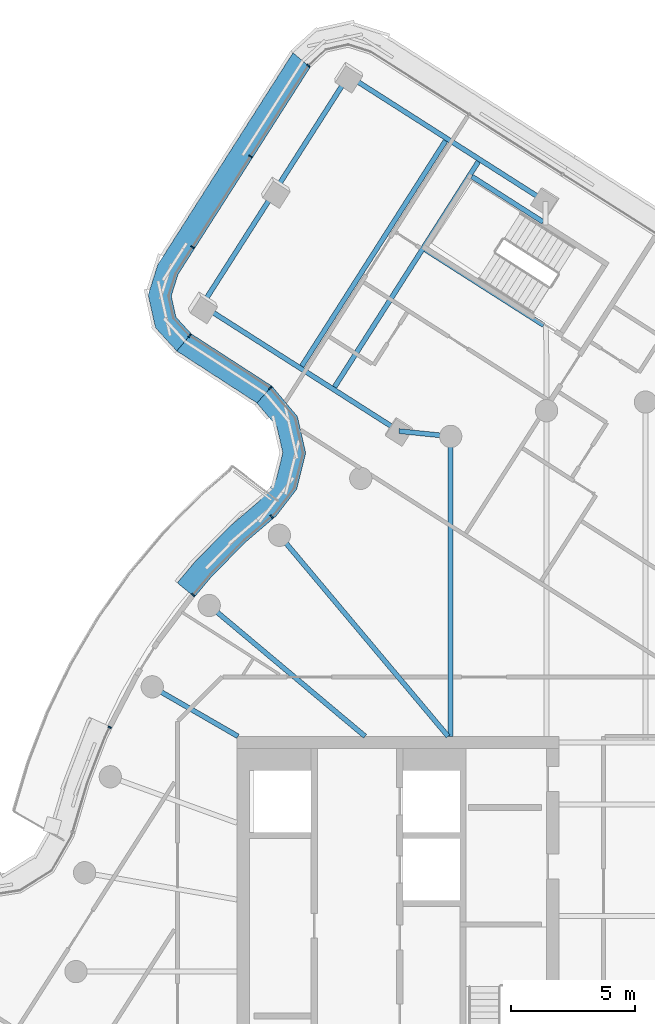
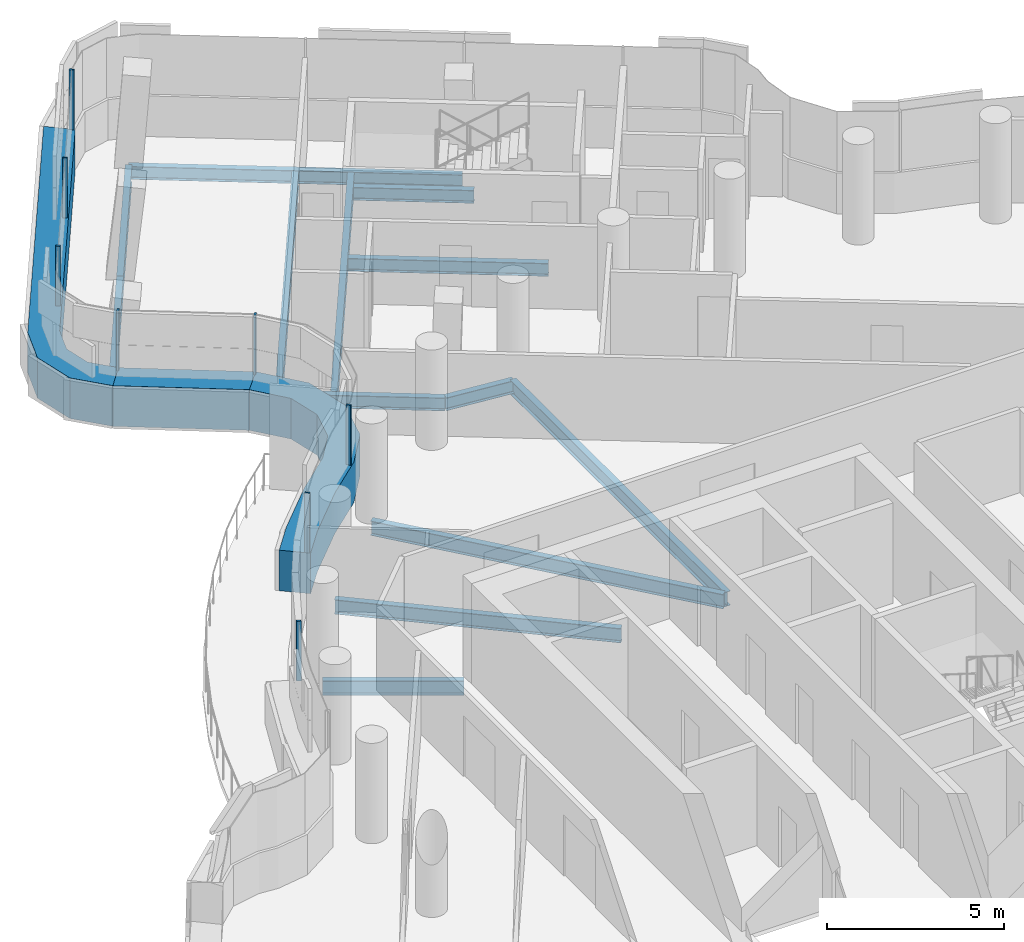
# One storey, part 9 of 27: 13 beams, 11 members, 3 elements without a shape of their own.
"""IFC4 building model written with IfcOpenShell, lengths in metres."""

from ifc_helpers import new_model, si_unit, direction, frame, origin, origin_2d, place, context, subcontext, project, spatial, polyline, rectangle, i_section, outline, extrude, material, layer, layer_set, material_profile, profile_set, type_object, element, aggregate, save


model = new_model("IFC4")

# Units and contexts
model_context = context("Model", 3, precision=1e-05, world=origin(), true_north=direction((0.0, 1.0)))
body_context = subcontext(model_context, "Body", "Model", "MODEL_VIEW")
ifc_project = project(units=[si_unit("LENGTHUNIT", "METRE"), si_unit("AREAUNIT", "SQUARE_METRE"), si_unit("VOLUMEUNIT", "CUBIC_METRE"), si_unit("PLANEANGLEUNIT", "RADIAN"), si_unit("MASSUNIT", "GRAM", prefix="KILO")], contexts=[model_context])

# Site, building, storey
site_placement = place(None, origin())
site = spatial("IfcSite", under=ifc_project, at=site_placement, CompositionType="ELEMENT")
building_placement = place(site_placement, origin())
building = spatial("IfcBuilding", under=site, at=building_placement, Name="Tamarind Cross Interchange Tower", CompositionType="ELEMENT")
storey_placement = place(building_placement, frame((0.0, 0.0, 241.5)))
storey = spatial("IfcBuildingStorey", under=building, at=storey_placement, Name="L61", CompositionType="ELEMENT", Elevation=241.5)

# Beams
ifc_material_1 = material(Name="Steel Q355B", Category="steel")
ifc_material_profile_1 = material_profile(ifc_material_1, i_section(OverallWidth=0.198974609375, OverallDepth=0.446044921875, WebThickness=0.008056640625, FlangeThickness=0.011962890625, FilletRadius=0.012939453125, at=origin_2d()), Name="HN 446x199x8x12")
ifc_profile_set_1 = profile_set([ifc_material_profile_1], Name="Steel Q355B")
beam_type_1 = type_object("IfcBeamType", Name="Composite beam HN 446x199x8x12 Q355B", PredefinedType="BEAM", material=ifc_profile_set_1)
for number, where, z_axis, x_axis, name in (
    (1, (-11.997314453125, 36.177490234375, -0.363037109375), (0.843062440434, -0.53781569476, 0.0), (0.53781569476, 0.843062440434, 0.0), "Beam N-edgeem4"),
    (2, (-17.913330078125, 26.904052734375, -0.363037109375), (0.84305071335, -0.537834077314, 0.0), (0.537834077314, 0.84305071335, 0.0), "Beam N-edgeep2"),
):
    element("IfcBeam", number, at=place(storey_placement, frame(where, z_axis=z_axis, x_axis=x_axis)), inside=storey, type_object=beam_type_1, Name=name, PredefinedType="BEAM", context=body_context, shape_type="SweptSolid", body=[
        extrude(i_section(OverallWidth=0.198974609375, OverallDepth=0.446044921875, WebThickness=0.008056640625, FlangeThickness=0.011962890625, FilletRadius=0.012939453125, at=origin_2d()), origin(), (0.0, 0.0, 1.0), 9.439453125),
    ])
beam_1_placement = place(storey_placement, frame((-9.955322265625, 21.8271484375, -0.363037109375), z_axis=(0.994787790943, -0.10196691125, 0.0), x_axis=(0.10196691125, 0.994787790943, 0.0)))
element("IfcBeam", 3, at=beam_1_placement, inside=storey, type_object=beam_type_1, Name="Beam N-linkep", PredefinedType="BEAM", context=body_context, shape_type="SweptSolid", body=[
    extrude(i_section(OverallWidth=0.198974609375, OverallDepth=0.446044921875, WebThickness=0.008056640625, FlangeThickness=0.011962890625, FilletRadius=0.012939453125, at=origin_2d()), origin(), (0.0, 0.0, 1.0), 2.099853515625),
])
beam_2_placement = place(storey_placement, frame((-4.13427734375, 30.271728515625, -0.363037109375), z_axis=(-0.843051825721, 0.537832333676, 0.0), x_axis=(-0.537832333676, -0.843051825721, 0.0)))
element("IfcBeam", 4, at=beam_2_placement, inside=storey, type_object=beam_type_1, Name="Beam N-tr0s1", PredefinedType="BEAM", context=body_context, shape_type="SweptSolid", body=[
    extrude(i_section(OverallWidth=0.198974609375, OverallDepth=0.446044921875, WebThickness=0.008056640625, FlangeThickness=0.011962890625, FilletRadius=0.012939453125, at=origin_2d()), origin(), (0.0, 0.0, 1.0), 3.416259765625),
])
beam_3_placement = place(storey_placement, frame((-4.112060546875, 26.10595703125, -0.363037109375), z_axis=(-0.843046298471, 0.53784099754, 0.0), x_axis=(-0.53784099754, -0.843046298471, 0.0)))
element("IfcBeam", 5, at=beam_3_placement, inside=storey, type_object=beam_type_1, Name="Beam N-tr1s1", PredefinedType="BEAM", context=body_context, shape_type="SweptSolid", body=[
    extrude(i_section(OverallWidth=0.198974609375, OverallDepth=0.446044921875, WebThickness=0.008056640625, FlangeThickness=0.011962890625, FilletRadius=0.012939453125, at=origin_2d()), origin(), (0.0, 0.0, 1.0), 5.675537109375),
])
ifc_material_profile_2 = material_profile(ifc_material_1, i_section(OverallWidth=0.198974609375, OverallDepth=0.49609375, WebThickness=0.009033203125, FlangeThickness=0.013916015625, FilletRadius=0.012939453125, at=origin_2d()), Name="HN 496x199x9x14")
ifc_profile_set_2 = profile_set([ifc_material_profile_2], Name="Steel Q355B")
beam_type_2 = type_object("IfcBeamType", Name="Composite beam HN 496x199x9x14 Q355B", PredefinedType="BEAM", material=ifc_profile_set_2)
beam_4_placement = place(storey_placement, frame((-7.866455078125, 21.613037109375, -0.387939453125), z_axis=(0.0, -1.0, 0.0), x_axis=(1.0, 0.0, 0.0)))
element("IfcBeam", 6, at=beam_4_placement, inside=storey, type_object=beam_type_2, Name="Beam HH11", PredefinedType="BEAM", context=body_context, shape_type="SweptSolid", body=[
    extrude(i_section(OverallWidth=0.198974609375, OverallDepth=0.49609375, WebThickness=0.009033203125, FlangeThickness=0.013916015625, FilletRadius=0.012939453125, at=origin_2d()), origin(), (0.0, 0.0, 1.0), 12.113037109375),
])
beam_5_placement = place(storey_placement, frame((-14.7841796875, 17.619140625, -0.387939453125), z_axis=(0.642786293979, -0.766045547127, 0.0), x_axis=(0.766045547127, 0.642786293979, 0.0)))
element("IfcBeam", 7, at=beam_5_placement, inside=storey, type_object=beam_type_2, Name="Beam HH13", PredefinedType="BEAM", context=body_context, shape_type="SweptSolid", body=[
    extrude(i_section(OverallWidth=0.198974609375, OverallDepth=0.49609375, WebThickness=0.009033203125, FlangeThickness=0.013916015625, FilletRadius=0.012939453125, at=origin_2d()), origin(), (0.0, 0.0, 1.0), 10.598876953125),
])
beam_6_placement = place(storey_placement, frame((-17.619140625, 14.7841796875, -0.387939453125), z_axis=(0.766040580814, -0.642792212574, 0.0), x_axis=(0.642792212574, 0.766040580814, 0.0)))
element("IfcBeam", 8, at=beam_6_placement, inside=storey, type_object=beam_type_2, Name="Beam HH14", PredefinedType="BEAM", context=body_context, shape_type="SweptSolid", body=[
    extrude(i_section(OverallWidth=0.198974609375, OverallDepth=0.49609375, WebThickness=0.009033203125, FlangeThickness=0.013916015625, FilletRadius=0.012939453125, at=origin_2d()), origin(), (0.0, 0.0, 1.0), 8.220703125),
])
beam_7_placement = place(storey_placement, frame((-19.918701171875, 11.5, -0.387939453125), z_axis=(0.866026010844, -0.49999894854, 0.0), x_axis=(0.49999894854, 0.866026010844, 0.0)))
element("IfcBeam", 9, at=beam_7_placement, inside=storey, type_object=beam_type_2, Name="Beam HH15", PredefinedType="BEAM", context=body_context, shape_type="SweptSolid", body=[
    extrude(i_section(OverallWidth=0.198974609375, OverallDepth=0.49609375, WebThickness=0.009033203125, FlangeThickness=0.013916015625, FilletRadius=0.012939453125, at=origin_2d()), origin(), (0.0, 0.0, 1.0), 4.0),
])
ifc_material_profile_3 = material_profile(ifc_material_1, i_section(OverallWidth=0.198974609375, OverallDepth=0.595947265625, WebThickness=0.010009765625, FlangeThickness=0.014892578125, FilletRadius=0.012939453125, at=origin_2d()), Name="HN 596x199x10x15")
ifc_profile_set_3 = profile_set([ifc_material_profile_3], Name="Steel Q355B")
beam_type_3 = type_object("IfcBeamType", Name="Composite beam HN 596x199x10x15 Q355B", PredefinedType="BEAM", material=ifc_profile_set_3)
for number, where, z_axis, x_axis, name in (
    (10, (-11.997314453125, 36.177490234375, -0.43798828125), (-0.537828750014, -0.84305411194, 0.0), (0.84305411194, -0.537828750014, 0.0), "Beam N-tip0"),
    (11, (-14.955322265625, 31.540771484375, -0.43798828125), (-0.537828750014, -0.84305411194, 0.0), (0.84305411194, -0.537828750014, 0.0), "Beam N-tip1"),
):
    element("IfcBeam", number, at=place(storey_placement, frame(where, z_axis=z_axis, x_axis=x_axis)), inside=storey, type_object=beam_type_3, Name=name, PredefinedType="BEAM", context=body_context, shape_type="SweptSolid", body=[
        extrude(i_section(OverallWidth=0.198974609375, OverallDepth=0.595947265625, WebThickness=0.010009765625, FlangeThickness=0.014892578125, FilletRadius=0.012939453125, at=origin_2d()), origin(), (0.0, 0.0, 1.0), 5.5),
    ])
beam_8_placement = place(storey_placement, frame((-6.69482421875, 32.794921875, -0.43798828125), z_axis=(-0.537834461072, -0.843050468527, 0.0), x_axis=(0.843050468527, -0.537834461072, 0.0)))
element("IfcBeam", 12, at=beam_8_placement, inside=storey, type_object=beam_type_3, Name="Beam N-x334", PredefinedType="BEAM", context=body_context, shape_type="SweptSolid", body=[
    extrude(i_section(OverallWidth=0.198974609375, OverallDepth=0.595947265625, WebThickness=0.010009765625, FlangeThickness=0.014892578125, FilletRadius=0.012939453125, at=origin_2d()), origin(), (0.0, 0.0, 1.0), 11.000244140625),
])
beam_9_placement = place(storey_placement, frame((-8.018310546875, 33.63916015625, -0.43798828125), z_axis=(-0.537818686544, -0.843060531874, 0.0), x_axis=(0.843060531874, -0.537818686544, 0.0)))
element("IfcBeam", 13, at=beam_9_placement, inside=storey, type_object=beam_type_3, Name="Beam N-x350", PredefinedType="BEAM", context=body_context, shape_type="SweptSolid", body=[
    extrude(i_section(OverallWidth=0.198974609375, OverallDepth=0.595947265625, WebThickness=0.010009765625, FlangeThickness=0.014892578125, FilletRadius=0.012939453125, at=origin_2d()), origin(), (0.0, 0.0, 1.0), 11.0),
])

# Curtain wall, member
ifc_material_2 = material(Name="Aluminium 6063-T6", Category="aluminium")
ifc_layer = layer(ifc_material_2, 0.139892578125)
ifc_layer_set = layer_set([ifc_layer], Name="Aluminium 6063-T6")
curtain_wall_type = type_object("IfcCurtainWallType", Name="Hotel curtain wall, 4.5 m bays", PredefinedType="NOTDEFINED", material=ifc_layer_set)
curtain_wall_1_placement = place(storey_placement, origin())
curtain_wall_1 = element("IfcCurtainWall", 14, at=curtain_wall_1_placement, inside=storey, type_object=curtain_wall_type, Name="CWS-L61-04", PredefinedType="NOTDEFINED")
ifc_material_3 = material(Name="Aluminium and insulated spandrel panel", Category="aluminium")
member_type_1 = type_object("IfcMemberType", Name="Floor-edge blade transom", PredefinedType="USERDEFINED", material=ifc_material_3)
member_1_placement = place(storey_placement, origin())
member_1 = element("IfcMember", 15, at=member_1_placement, type_object=member_type_1, Name="CWT-L61-04", ObjectType="TRANSOM", PredefinedType="USERDEFINED", context=body_context, shape_type="SweptSolid", body=[
    extrude(outline(polyline([(-13.539306640625, 36.521484375), (-18.875, 28.157470703125), (-19.15087890625, 27.28466796875), (-18.962158203125, 26.4306640625), (-18.343505859375, 25.754638671875), (-18.929443359375, 25.06201171875), (-19.788818359375, 26.0009765625), (-20.081787109375, 27.325927734375), (-19.697509765625, 28.541748046875), (-14.234375, 37.10546875), (-13.539306640625, 36.521484375)])), origin(), (0.0, 0.0, 1.0), 1.39990234375),
])

curtain_wall_2_placement = place(storey_placement, origin())
curtain_wall_2 = element("IfcCurtainWall", 16, at=curtain_wall_2_placement, inside=storey, type_object=curtain_wall_type, Name="CWS-L61-05", PredefinedType="NOTDEFINED")
member_2_placement = place(storey_placement, origin())
member_2 = element("IfcMember", 17, at=member_2_placement, type_object=member_type_1, Name="CWT-L61-05", ObjectType="TRANSOM", PredefinedType="USERDEFINED", context=body_context, shape_type="SweptSolid", body=[
    extrude(outline(polyline([(-18.343505859375, 25.754638671875), (-15.086669921875, 23.644775390625), (-15.689453125, 22.962890625), (-18.929443359375, 25.06201171875), (-18.343505859375, 25.754638671875)])), origin(), (0.0, 0.0, 1.0), 1.39990234375),
])

curtain_wall_3_placement = place(storey_placement, origin())
curtain_wall_3 = element("IfcCurtainWall", 18, at=curtain_wall_3_placement, inside=storey, type_object=curtain_wall_type, Name="CWS-L61-06", PredefinedType="NOTDEFINED")
member_3_placement = place(storey_placement, origin())
member_3 = element("IfcMember", 19, at=member_3_placement, type_object=member_type_1, Name="CWT-L61-06-0", ObjectType="TRANSOM", PredefinedType="USERDEFINED", context=body_context, shape_type="SweptSolid", body=[
    extrude(outline(polyline([(-15.086669921875, 23.644775390625), (-14.055908203125, 22.415283203125), (-13.719970703125, 20.939697265625), (-14.0830078125, 19.480712890625), (-14.9140625, 18.39990234375), (-16.12353515625, 17.364501953125), (-17.50244140625, 15.973388671875), (-18.214599609375, 15.125244140625), (-18.906982421875, 15.7001953125), (-18.167724609375, 16.580810546875), (-16.736572265625, 18.024169921875), (-15.570556640625, 19.022705078125), (-14.910888671875, 19.88037109375), (-14.64501953125, 20.948974609375), (-14.885009765625, 22.003662109375), (-15.689453125, 22.962890625), (-15.086669921875, 23.644775390625)])), origin(), (0.0, 0.0, 1.0), 1.39990234375),
])

# Member
ifc_material_profile_4 = material_profile(ifc_material_2, rectangle(XDim=0.06005859375, YDim=0.139892578125, at=origin_2d()), Name="Mullion CW2")
ifc_profile_set_4 = profile_set([ifc_material_profile_4], Name="Aluminium 6063-T6")
member_type_2 = type_object("IfcMemberType", Name="Mullion CW2", PredefinedType="MULLION", material=ifc_profile_set_4)
member_4_placement = place(storey_placement, frame((-13.616455078125, 36.586181640625, 1.39990234375), z_axis=(0.0, 0.0, 1.0), x_axis=(-0.643268802693, -0.765640416568, 0.0)))
member_4 = element("IfcMember", 20, at=member_4_placement, type_object=member_type_2, Name="CWM-L61-04-00", PredefinedType="MULLION", context=body_context, shape_type="SweptSolid", body=[
    extrude(rectangle(XDim=0.06005859375, YDim=0.139892578125, at=origin_2d()), origin(), (0.0, 0.0, 1.0), 2.06005859375),
])

member_5_placement = place(storey_placement, frame((-15.95361328125, 32.922607421875, 1.39990234375), z_axis=(0.0, 0.0, 1.0), x_axis=(-0.537829420727, -0.843053684056, 0.0)))
member_5 = element("IfcMember", 21, at=member_5_placement, type_object=member_type_2, Name="CWM-L61-04-01", PredefinedType="MULLION", context=body_context, shape_type="SweptSolid", body=[
    extrude(rectangle(XDim=0.06005859375, YDim=0.139892578125, at=origin_2d()), origin(), (0.0, 0.0, 1.0), 2.06005859375),
])

member_6_placement = place(storey_placement, frame((-18.291015625, 29.259033203125, 1.39990234375), z_axis=(0.0, 0.0, 1.0), x_axis=(-0.537829420727, -0.843053684056, 0.0)))
member_6 = element("IfcMember", 22, at=member_6_placement, type_object=member_type_2, Name="CWM-L61-04-02", PredefinedType="MULLION", context=body_context, shape_type="SweptSolid", body=[
    extrude(rectangle(XDim=0.06005859375, YDim=0.139892578125, at=origin_2d()), origin(), (0.0, 0.0, 1.0), 2.06005859375),
])

aggregate(curtain_wall_1, [member_4, member_5, member_6, member_1])

member_7_placement = place(storey_placement, frame((-18.408447265625, 25.677734375, 1.39990234375), z_axis=(0.0, 0.0, 1.0), x_axis=(0.763383090036, -0.64594601775, 0.0)))
member_7 = element("IfcMember", 23, at=member_7_placement, type_object=member_type_2, Name="CWM-L61-05-00", PredefinedType="MULLION", context=body_context, shape_type="SweptSolid", body=[
    extrude(rectangle(XDim=0.06005859375, YDim=0.139892578125, at=origin_2d()), origin(), (0.0, 0.0, 1.0), 2.06005859375),
])

aggregate(curtain_wall_2, [member_7, member_2])

member_8_placement = place(storey_placement, frame((-15.153564453125, 23.569091796875, 1.39990234375), z_axis=(0.0, 0.0, 1.0), x_axis=(0.749193811017, -0.662350838706, 0.0)))
member_8 = element("IfcMember", 24, at=member_8_placement, type_object=member_type_2, Name="CWM-L61-06-00", PredefinedType="MULLION", context=body_context, shape_type="SweptSolid", body=[
    extrude(rectangle(XDim=0.06005859375, YDim=0.139892578125, at=origin_2d()), origin(), (0.0, 0.0, 1.0), 2.06005859375),
])

member_9_placement = place(storey_placement, frame((-15.0966796875, 18.375244140625, 1.39990234375), z_axis=(0.0, 0.0, 1.0), x_axis=(-0.7595663004, -0.650429884997, 0.0)))
member_9 = element("IfcMember", 25, at=member_9_placement, type_object=member_type_2, Name="CWM-L61-06-01", PredefinedType="MULLION", context=body_context, shape_type="SweptSolid", body=[
    extrude(rectangle(XDim=0.06005859375, YDim=0.139892578125, at=origin_2d()), origin(), (0.0, 0.0, 1.0), 2.06005859375),
])

member_10_placement = place(storey_placement, frame((-18.2724609375, 15.2119140625, 1.39990234375), z_axis=(0.0, 0.0, 1.0), x_axis=(-0.643009266048, -0.765858396687, 0.0)))
member_10 = element("IfcMember", 26, at=member_10_placement, type_object=member_type_2, Name="CWM-L61-06-02", PredefinedType="MULLION", context=body_context, shape_type="SweptSolid", body=[
    extrude(rectangle(XDim=0.06005859375, YDim=0.139892578125, at=origin_2d()), origin(), (0.0, 0.0, 1.0), 2.06005859375),
])

member_11_placement = place(storey_placement, frame((-21.637939453125, 9.8671875, 1.39990234375), z_axis=(0.0, 0.0, 1.0), x_axis=(-0.435326231914, -0.900272776334, 0.0)))
member_11 = element("IfcMember", 27, at=member_11_placement, type_object=member_type_2, Name="CWM-L61-06-03", PredefinedType="MULLION", context=body_context, shape_type="SweptSolid", body=[
    extrude(rectangle(XDim=0.06005859375, YDim=0.139892578125, at=origin_2d()), origin(), (0.0, 0.0, 1.0), 2.06005859375),
])

aggregate(curtain_wall_3, [member_8, member_9, member_10, member_11, member_3])

save(model, "model.ifc")
